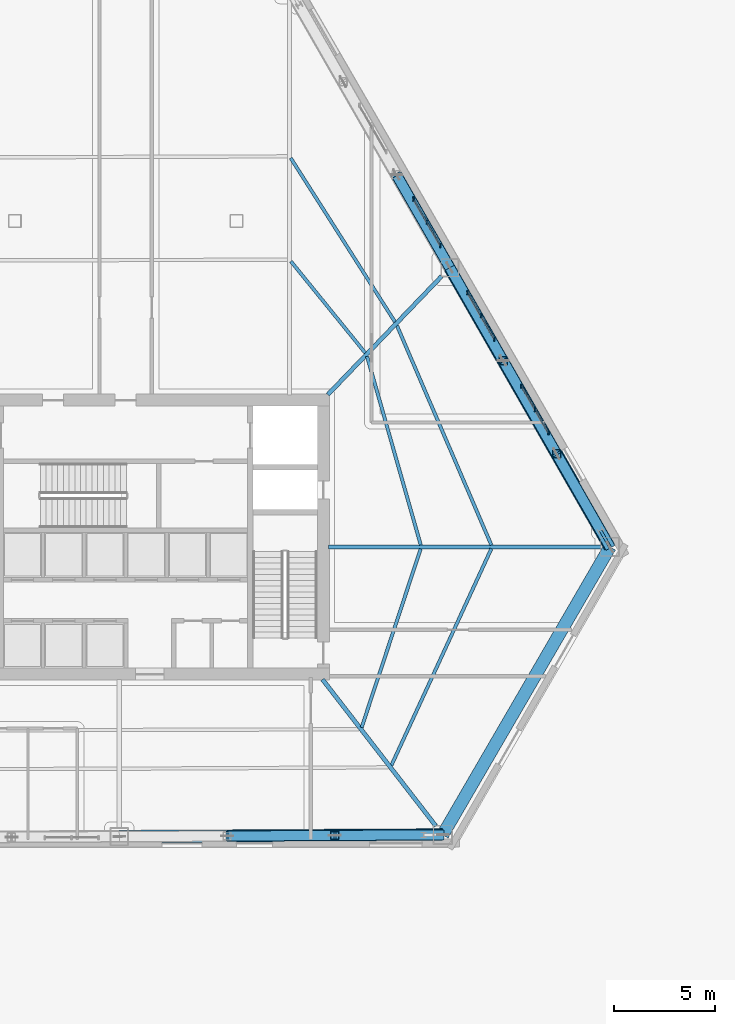
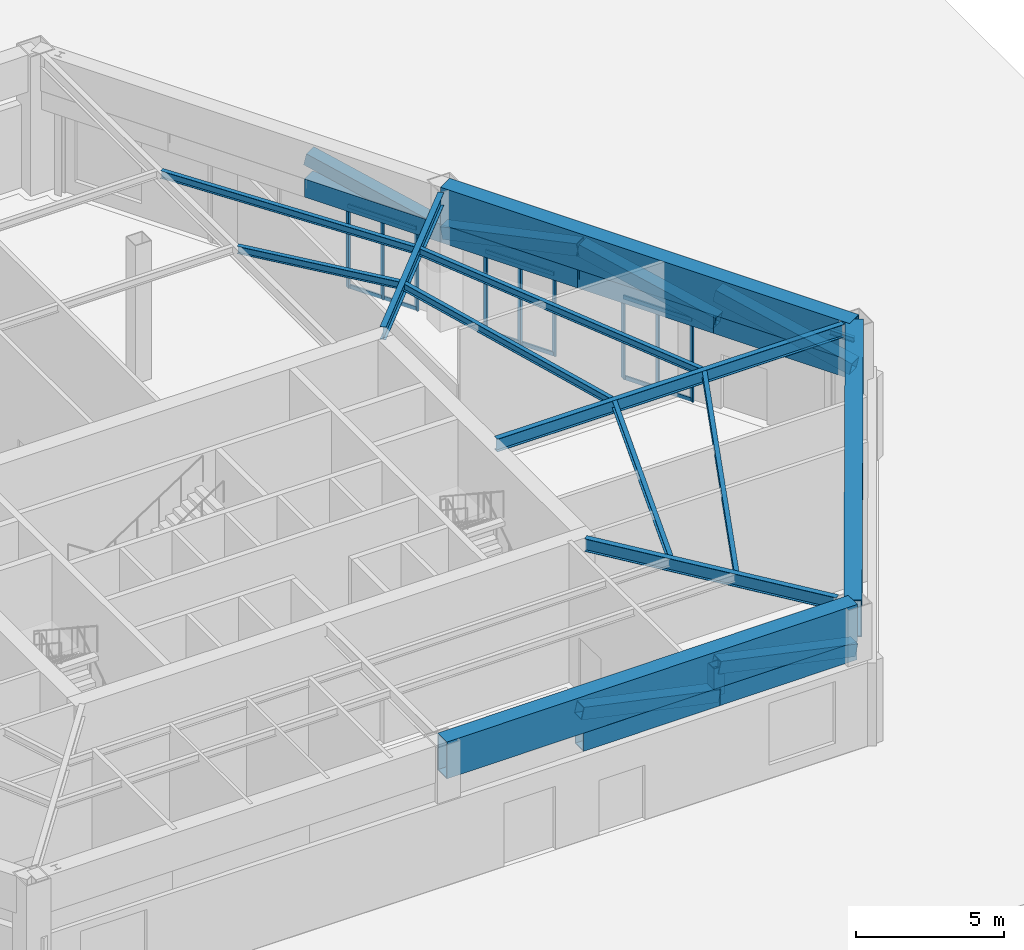
# One storey, part 7 of 20: 24 members, 19 beams, 3 elements without a shape of their own.
"""IFC4 building model written with IfcOpenShell, lengths in metres."""

from ifc_helpers import new_model, si_unit, direction, frame, origin, origin_2d, place, context, subcontext, project, spatial, rectangle, hollow_rectangle, i_section, extrude, material, layer, layer_set, material_profile, profile_set, type_object, element, aggregate, save


model = new_model("IFC4")

# Units and contexts
model_context = context("Model", 3, precision=1e-05, world=origin(), true_north=direction((0.0, 1.0)))
body_context = subcontext(model_context, "Body", "Model", "MODEL_VIEW")
ifc_project = project(units=[si_unit("LENGTHUNIT", "METRE"), si_unit("AREAUNIT", "SQUARE_METRE"), si_unit("VOLUMEUNIT", "CUBIC_METRE"), si_unit("PLANEANGLEUNIT", "RADIAN"), si_unit("MASSUNIT", "GRAM", prefix="KILO")], contexts=[model_context])

# Site, building, storey
site_placement = place(None, origin())
site = spatial("IfcSite", under=ifc_project, at=site_placement, CompositionType="ELEMENT")
building_placement = place(site_placement, origin())
building = spatial("IfcBuilding", under=site, at=building_placement, Name="Kavelnor Concourse Tower", CompositionType="ELEMENT")
storey_placement = place(building_placement, origin())
storey = spatial("IfcBuildingStorey", under=building, at=storey_placement, Name="L00", CompositionType="ELEMENT", Elevation=0.0)

# Beams
ifc_material_1 = material(Name="Steel Grade 350", Category="steel")
ifc_material_profile_1 = material_profile(ifc_material_1, i_section(OverallWidth=0.166015625, OverallDepth=0.306884765625, WebThickness=0.006591796875, FlangeThickness=0.01171875, at=origin_2d()), Name="310UB46")
ifc_profile_set_1 = profile_set([ifc_material_profile_1], Name="Steel Grade 350")
beam_type_1 = type_object("IfcBeamType", Name="BM-JOIST-310", PredefinedType="JOIST", material=ifc_profile_set_1)
beam_1_placement = place(storey_placement, frame((49.721435546875, 6.652587890625, 5.58642578125), z_axis=(0.313756274904, 0.949503554474, 0.0), x_axis=(-0.949503554474, 0.313756274904, 0.0)))
element("IfcBeam", 1, at=beam_1_placement, inside=storey, type_object=beam_type_1, Name="L00 Composite Floor Joist 04-1", PredefinedType="JOIST", context=body_context, shape_type="SweptSolid", body=[
    extrude(i_section(OverallWidth=0.166015625, OverallDepth=0.306884765625, WebThickness=0.006591796875, FlangeThickness=0.01171875, at=origin_2d()), origin(), (0.0, 0.0, 1.0), 9.339111328125),
])
beam_2_placement = place(storey_placement, frame((51.194091796875, 4.75830078125, 5.58642578125), z_axis=(0.418880576802, 0.908041332968, 0.0), x_axis=(-0.908041332968, 0.418880576802, 0.0)))
element("IfcBeam", 2, at=beam_2_placement, inside=storey, type_object=beam_type_1, Name="L00 Composite Floor Joist 04-2", PredefinedType="JOIST", context=body_context, shape_type="SweptSolid", body=[
    extrude(i_section(OverallWidth=0.166015625, OverallDepth=0.306884765625, WebThickness=0.006591796875, FlangeThickness=0.01171875, at=origin_2d()), origin(), (0.0, 0.0, 1.0), 11.856201171875),
])
beam_3_placement = place(storey_placement, frame((52.655517578125, 15.70751953125, 5.58642578125), z_axis=(-0.273853851398, 0.961771317972, 0.0), x_axis=(-0.961771317972, -0.273853851398, 0.0)))
element("IfcBeam", 3, at=beam_3_placement, inside=storey, type_object=beam_type_1, Name="L00 Composite Floor Joist 05-1", PredefinedType="JOIST", context=body_context, shape_type="SweptSolid", body=[
    extrude(i_section(OverallWidth=0.166015625, OverallDepth=0.306884765625, WebThickness=0.006591796875, FlangeThickness=0.01171875, at=origin_2d()), origin(), (0.0, 0.0, 1.0), 9.7421875),
])
beam_4_placement = place(storey_placement, frame((56.162841796875, 15.703125, 5.58642578125), z_axis=(-0.39521166435, 0.918590082878, 0.0), x_axis=(-0.918590082878, -0.39521166435, 0.0)))
element("IfcBeam", 4, at=beam_4_placement, inside=storey, type_object=beam_type_1, Name="L00 Composite Floor Joist 05-2", PredefinedType="JOIST", context=body_context, shape_type="SweptSolid", body=[
    extrude(i_section(OverallWidth=0.166015625, OverallDepth=0.306884765625, WebThickness=0.006591796875, FlangeThickness=0.01171875, at=origin_2d()), origin(), (0.0, 0.0, 1.0), 11.875),
])
beam_5_placement = place(storey_placement, frame((49.89892578125, 25.247802734375, 5.58642578125), z_axis=(-0.630228598423, 0.776409630112, 0.0), x_axis=(-0.776409630112, -0.630228598423, 0.0)))
element("IfcBeam", 5, at=beam_5_placement, inside=storey, type_object=beam_type_1, Name="L00 Composite Floor Joist 06-1", PredefinedType="JOIST", context=body_context, shape_type="SweptSolid", body=[
    extrude(i_section(OverallWidth=0.166015625, OverallDepth=0.306884765625, WebThickness=0.006591796875, FlangeThickness=0.01171875, at=origin_2d()), origin(), (0.0, 0.0, 1.0), 5.85888671875),
])
beam_6_placement = place(storey_placement, frame((51.37841796875, 26.783935546875, 5.58642578125), z_axis=(-0.53695899009, 0.843608346901, 0.0), x_axis=(-0.843608346901, -0.53695899009, 0.0)))
element("IfcBeam", 6, at=beam_6_placement, inside=storey, type_object=beam_type_1, Name="L00 Composite Floor Joist 06-2", PredefinedType="JOIST", context=body_context, shape_type="SweptSolid", body=[
    extrude(i_section(OverallWidth=0.166015625, OverallDepth=0.306884765625, WebThickness=0.006591796875, FlangeThickness=0.01171875, at=origin_2d()), origin(), (0.0, 0.0, 1.0), 9.648681640625),
])
ifc_material_profile_2 = material_profile(ifc_material_1, i_section(OverallWidth=0.134033203125, OverallDepth=0.20703125, WebThickness=0.00634765625, FlangeThickness=0.009521484375, at=origin_2d()), Name="200UB29")
ifc_profile_set_2 = profile_set([ifc_material_profile_2], Name="Steel Grade 350")
beam_type_2 = type_object("IfcBeamType", Name="BM-LINTEL-200", PredefinedType="LINTEL", material=ifc_profile_set_2)
beam_7_placement = place(storey_placement, frame((62.05078125, 15.61328125, 4.89990234375), z_axis=(-0.49757753053, 0.867419506993, 0.0), x_axis=(-0.867419506993, -0.49757753053, 0.0)))
element("IfcBeam", 7, at=beam_7_placement, inside=storey, type_object=beam_type_2, Name="L00 Pier Stiffener Header Lintel F2-A", PredefinedType="LINTEL", context=body_context, shape_type="SweptSolid", body=[
    extrude(i_section(OverallWidth=0.134033203125, OverallDepth=0.20703125, WebThickness=0.00634765625, FlangeThickness=0.009521484375, at=origin_2d()), origin(), (0.0, 0.0, 1.0), 0.949951171875),
])
ifc_material_profile_3 = material_profile(ifc_material_1, i_section(OverallWidth=0.208984375, OverallDepth=0.528076171875, WebThickness=0.009521484375, FlangeThickness=0.01318359375, at=origin_2d()), Name="530UB82")
ifc_profile_set_3 = profile_set([ifc_material_profile_3], Name="Steel Grade 350")
beam_type_3 = type_object("IfcBeamType", Name="BM-PRIMARY-530", PredefinedType="BEAM", material=ifc_profile_set_3)
beam_8_placement = place(storey_placement, frame((47.778564453125, 9.031494140625, 5.47607421875), z_axis=(0.611849576127, -0.790974143821, 0.0), x_axis=(0.790974143821, 0.611849576127, 0.0)))
element("IfcBeam", 8, at=beam_8_placement, inside=storey, type_object=beam_type_3, Name="L00 Primary Floor Girder MC-V4", PredefinedType="BEAM", context=body_context, shape_type="SweptSolid", body=[
    extrude(i_section(OverallWidth=0.208984375, OverallDepth=0.528076171875, WebThickness=0.009521484375, FlangeThickness=0.01318359375, at=origin_2d()), origin(), (0.0, 0.0, 1.0), 9.19189453125),
])
beam_9_placement = place(storey_placement, frame((48.080078125, 15.61328125, 5.47607421875), z_axis=(1.0, 0.0, 0.0), x_axis=(0.0, 1.0, 0.0)))
element("IfcBeam", 9, at=beam_9_placement, inside=storey, type_object=beam_type_3, Name="L00 Primary Floor Girder MC-V5", PredefinedType="BEAM", context=body_context, shape_type="SweptSolid", body=[
    extrude(i_section(OverallWidth=0.208984375, OverallDepth=0.528076171875, WebThickness=0.009521484375, FlangeThickness=0.01318359375, at=origin_2d()), origin(), (0.0, 0.0, 1.0), 13.535888671875),
])
beam_10_placement = place(storey_placement, frame((48.037841796875, 23.171142578125, 5.47607421875), z_axis=(0.692982555638, 0.72095435194, 0.0), x_axis=(-0.72095435194, 0.692982555638, 0.0)))
element("IfcBeam", 10, at=beam_10_placement, inside=storey, type_object=beam_type_3, Name="L00 Primary Floor Girder MC-F2", PredefinedType="BEAM", context=body_context, shape_type="SweptSolid", body=[
    extrude(i_section(OverallWidth=0.208984375, OverallDepth=0.528076171875, WebThickness=0.009521484375, FlangeThickness=0.01318359375, at=origin_2d()), origin(), (0.0, 0.0, 1.0), 8.160888671875),
])
ifc_material_profile_4 = material_profile(ifc_material_1, hollow_rectangle(XDim=0.550048828125, YDim=0.75, WallThickness=0.034912109375, at=origin_2d()), Name="RHS 750x550x35")
ifc_profile_set_4 = profile_set([ifc_material_profile_4], Name="Steel Grade 350")
beam_type_4 = type_object("IfcBeamType", Name="BM-XFER-CHORD-750", PredefinedType="BEAM", material=ifc_profile_set_4)
for number, where, z_axis, x_axis, name in (
    (11, (43.03857421875, 1.25927734375, 3.81494140625), (0.999985274967, 0.005426771603, 0.0), (-0.005426771603, 0.999985274967, 0.0), "L00 Concourse Transfer Truss Bottom Chord F1-B4"),
    (12, (48.39208984375, 1.288330078125, 3.81494140625), (0.999985026453, 0.005472373366, 0.0), (-0.005472373366, 0.999985026453, 0.0), "L00 Concourse Transfer Truss Bottom Chord F1-B5"),
):
    element("IfcBeam", number, at=place(storey_placement, frame(where, z_axis=z_axis, x_axis=x_axis)), inside=storey, type_object=beam_type_4, Name=name, PredefinedType="BEAM", context=body_context, shape_type="SweptSolid", body=[
        extrude(hollow_rectangle(XDim=0.550048828125, YDim=0.75, WallThickness=0.034912109375, at=origin_2d()), origin(), (0.0, 0.0, 1.0), 5.353515625),
    ])
beam_11_placement = place(storey_placement, frame((62.05078125, 15.61328125, 3.81494140625), z_axis=(-0.497608978098, 0.867401466979, 0.0), x_axis=(-0.867401466979, -0.497608978098, 0.0)))
element("IfcBeam", 13, at=beam_11_placement, inside=storey, type_object=beam_type_4, Name="L00 Concourse Transfer Truss Bottom Chord F2-B0", PredefinedType="BEAM", context=body_context, shape_type="SweptSolid", body=[
    extrude(hollow_rectangle(XDim=0.550048828125, YDim=0.75, WallThickness=0.034912109375, at=origin_2d()), origin(), (0.0, 0.0, 1.0), 5.3271484375),
])
beam_12_placement = place(storey_placement, frame((59.39990234375, 20.234130859375, 3.81494140625), z_axis=(-0.497643457825, 0.867381685813, 0.0), x_axis=(-0.867381685813, -0.497643457825, 0.0)))
element("IfcBeam", 14, at=beam_12_placement, inside=storey, type_object=beam_type_4, Name="L00 Concourse Transfer Truss Bottom Chord F2-B1", PredefinedType="BEAM", context=body_context, shape_type="SweptSolid", body=[
    extrude(hollow_rectangle(XDim=0.550048828125, YDim=0.75, WallThickness=0.034912109375, at=origin_2d()), origin(), (0.0, 0.0, 1.0), 5.327392578125),
])
beam_13_placement = place(storey_placement, frame((56.748779296875, 24.85498046875, 3.81494140625), z_axis=(-0.497608978098, 0.867401466979, 0.0), x_axis=(-0.867401466979, -0.497608978098, 0.0)))
element("IfcBeam", 15, at=beam_13_placement, inside=storey, type_object=beam_type_4, Name="L00 Concourse Transfer Truss Bottom Chord F2-B2", PredefinedType="BEAM", context=body_context, shape_type="SweptSolid", body=[
    extrude(hollow_rectangle(XDim=0.550048828125, YDim=0.75, WallThickness=0.034912109375, at=origin_2d()), origin(), (0.0, 0.0, 1.0), 5.3271484375),
])
beam_14_placement = place(storey_placement, frame((54.097900390625, 29.475830078125, 3.81494140625), z_axis=(-0.497643457825, 0.867381685813, 0.0), x_axis=(-0.867381685813, -0.497643457825, 0.0)))
element("IfcBeam", 16, at=beam_14_placement, inside=storey, type_object=beam_type_4, Name="L00 Concourse Transfer Truss Bottom Chord F2-B3", PredefinedType="BEAM", context=body_context, shape_type="SweptSolid", body=[
    extrude(hollow_rectangle(XDim=0.550048828125, YDim=0.75, WallThickness=0.034912109375, at=origin_2d()), origin(), (0.0, 0.0, 1.0), 5.327392578125),
])
ifc_material_profile_5 = material_profile(ifc_material_1, hollow_rectangle(XDim=0.6201171875, YDim=1.52001953125, WallThickness=0.0400390625, at=origin_2d()), Name="RHS 1520x620x40")
ifc_profile_set_5 = profile_set([ifc_material_profile_5], Name="Steel Grade 350")
beam_type_5 = type_object("IfcBeamType", Name="BM-XFER-CHORD-850", PredefinedType="BEAM", material=ifc_profile_set_5)
beam_15_placement = place(storey_placement, frame((37.68505859375, 1.22998046875, 4.97998046875), z_axis=(0.999985109522, 0.005457172782, 0.0), x_axis=(-0.005457172782, 0.999985109522, 0.0)))
element("IfcBeam", 17, at=beam_15_placement, inside=storey, type_object=beam_type_5, Name="L00 Concourse Transfer Truss Top Chord Girder F1-S2", PredefinedType="BEAM", context=body_context, shape_type="SweptSolid", body=[
    extrude(hollow_rectangle(XDim=0.6201171875, YDim=1.52001953125, WallThickness=0.0400390625, at=origin_2d()), origin(), (0.0, 0.0, 1.0), 16.060791015625),
])
beam_16_placement = place(storey_placement, frame((62.05078125, 15.61328125, 4.97998046875), z_axis=(-0.497620471602, 0.867394873309, 0.0), x_axis=(-0.867394873309, -0.497620471602, 0.0)))
element("IfcBeam", 18, at=beam_16_placement, inside=storey, type_object=beam_type_5, Name="L00 Concourse Transfer Truss Top Chord Girder F2-S1", PredefinedType="BEAM", context=body_context, shape_type="SweptSolid", body=[
    extrude(hollow_rectangle(XDim=0.6201171875, YDim=1.52001953125, WallThickness=0.0400390625, at=origin_2d()), origin(), (0.0, 0.0, 1.0), 15.98193359375),
])
beam_17_placement = place(storey_placement, frame((53.74560546875, 1.317626953125, 4.97998046875), z_axis=(0.502337849363, 0.864671431873, 0.0), x_axis=(-0.864671431873, 0.502337849363, 0.0)))
element("IfcBeam", 19, at=beam_17_placement, inside=storey, type_object=beam_type_5, Name="L00 Concourse Transfer Truss Corner Tie C2", PredefinedType="BEAM", context=body_context, shape_type="SweptSolid", body=[
    extrude(hollow_rectangle(XDim=0.6201171875, YDim=1.52001953125, WallThickness=0.0400390625, at=origin_2d()), origin(), (0.0, 0.0, 1.0), 16.532958984375),
])

# Curtain wall, members
ifc_material_2 = material(Name="Anodised aluminium 6063-T6", Category="aluminium")
ifc_layer = layer(ifc_material_2, 0.199951171875, Name="Anodised aluminium 6063-T6")
ifc_layer_set = layer_set([ifc_layer], Name="Anodised aluminium 6063-T6")
curtain_wall_type = type_object("IfcCurtainWallType", Name="CW-CONCOURSE", PredefinedType="NOTDEFINED", material=ifc_layer_set)
curtain_wall_1_placement = place(storey_placement, origin())
curtain_wall_1 = element("IfcCurtainWall", 20, at=curtain_wall_1_placement, inside=storey, type_object=curtain_wall_type, Name="L00 Street Concourse Shopfront Curtain Wall 7", PredefinedType="NOTDEFINED")
ifc_material_profile_6 = material_profile(ifc_material_2, rectangle(XDim=0.06494140625, YDim=0.199951171875, at=origin_2d()), Name="AL-MULL 65x200")
ifc_profile_set_6 = profile_set([ifc_material_profile_6], Name="Anodised aluminium 6063-T6")
member_type_1 = type_object("IfcMemberType", Name="CW-CONCOURSE-MULL", PredefinedType="MULLION", material=ifc_profile_set_6)
member_1_placement = place(storey_placement, frame((58.9912109375, 21.281982421875, 0.0), z_axis=(0.0, 0.0, 1.0), x_axis=(1.0, 0.0, 0.0)))
member_1 = element("IfcMember", 21, at=member_1_placement, type_object=member_type_1, Name="L00 Street Concourse Shopfront Curtain Wall 7 Mullion 0", PredefinedType="MULLION", context=body_context, shape_type="SweptSolid", body=[
    extrude(rectangle(XDim=0.06494140625, YDim=0.199951171875, at=origin_2d()), origin(), (0.0, 0.0, 1.0), 3.419921875),
])
member_2_placement = place(storey_placement, frame((58.32421875, 22.437255859375, 0.0), z_axis=(0.0, 0.0, 1.0), x_axis=(1.0, 0.0, 0.0)))
member_2 = element("IfcMember", 22, at=member_2_placement, type_object=member_type_1, Name="L00 Street Concourse Shopfront Curtain Wall 7 Mullion 1", PredefinedType="MULLION", context=body_context, shape_type="SweptSolid", body=[
    extrude(rectangle(XDim=0.06494140625, YDim=0.199951171875, at=origin_2d()), origin(), (0.0, 0.0, 1.0), 3.419921875),
])
member_3_placement = place(storey_placement, frame((57.657470703125, 23.59228515625, 0.0), z_axis=(0.0, 0.0, 1.0), x_axis=(1.0, 0.0, 0.0)))
member_3 = element("IfcMember", 23, at=member_3_placement, type_object=member_type_1, Name="L00 Street Concourse Shopfront Curtain Wall 7 Mullion 2", PredefinedType="MULLION", context=body_context, shape_type="SweptSolid", body=[
    extrude(rectangle(XDim=0.06494140625, YDim=0.199951171875, at=origin_2d()), origin(), (0.0, 0.0, 1.0), 3.419921875),
])

curtain_wall_2_placement = place(storey_placement, origin())
curtain_wall_2 = element("IfcCurtainWall", 24, at=curtain_wall_2_placement, inside=storey, type_object=curtain_wall_type, Name="L00 Street Concourse Shopfront Curtain Wall 8", PredefinedType="NOTDEFINED")
member_4_placement = place(storey_placement, frame((56.307373046875, 25.9306640625, 0.0), z_axis=(0.0, 0.0, 1.0), x_axis=(1.0, 0.0, 0.0)))
member_4 = element("IfcMember", 25, at=member_4_placement, type_object=member_type_1, Name="L00 Street Concourse Shopfront Curtain Wall 8 Mullion 0", PredefinedType="MULLION", context=body_context, shape_type="SweptSolid", body=[
    extrude(rectangle(XDim=0.06494140625, YDim=0.199951171875, at=origin_2d()), origin(), (0.0, 0.0, 1.0), 3.419921875),
])
member_5_placement = place(storey_placement, frame((55.640380859375, 27.085693359375, 0.0), z_axis=(0.0, 0.0, 1.0), x_axis=(1.0, 0.0, 0.0)))
member_5 = element("IfcMember", 26, at=member_5_placement, type_object=member_type_1, Name="L00 Street Concourse Shopfront Curtain Wall 8 Mullion 1", PredefinedType="MULLION", context=body_context, shape_type="SweptSolid", body=[
    extrude(rectangle(XDim=0.06494140625, YDim=0.199951171875, at=origin_2d()), origin(), (0.0, 0.0, 1.0), 3.419921875),
])
member_6_placement = place(storey_placement, frame((54.9736328125, 28.240966796875, 0.0), z_axis=(0.0, 0.0, 1.0), x_axis=(1.0, 0.0, 0.0)))
member_6 = element("IfcMember", 27, at=member_6_placement, type_object=member_type_1, Name="L00 Street Concourse Shopfront Curtain Wall 8 Mullion 2", PredefinedType="MULLION", context=body_context, shape_type="SweptSolid", body=[
    extrude(rectangle(XDim=0.06494140625, YDim=0.199951171875, at=origin_2d()), origin(), (0.0, 0.0, 1.0), 3.419921875),
])

curtain_wall_3_placement = place(storey_placement, origin())
curtain_wall_3 = element("IfcCurtainWall", 28, at=curtain_wall_3_placement, inside=storey, type_object=curtain_wall_type, Name="L00 Street Concourse Shopfront Curtain Wall 9", PredefinedType="NOTDEFINED")
member_7_placement = place(storey_placement, frame((53.62353515625, 30.5791015625, 0.0), z_axis=(0.0, 0.0, 1.0), x_axis=(1.0, 0.0, 0.0)))
member_7 = element("IfcMember", 29, at=member_7_placement, type_object=member_type_1, Name="L00 Street Concourse Shopfront Curtain Wall 9 Mullion 0", PredefinedType="MULLION", context=body_context, shape_type="SweptSolid", body=[
    extrude(rectangle(XDim=0.06494140625, YDim=0.199951171875, at=origin_2d()), origin(), (0.0, 0.0, 1.0), 3.419921875),
])
member_8_placement = place(storey_placement, frame((52.956787109375, 31.734375, 0.0), z_axis=(0.0, 0.0, 1.0), x_axis=(1.0, 0.0, 0.0)))
member_8 = element("IfcMember", 30, at=member_8_placement, type_object=member_type_1, Name="L00 Street Concourse Shopfront Curtain Wall 9 Mullion 1", PredefinedType="MULLION", context=body_context, shape_type="SweptSolid", body=[
    extrude(rectangle(XDim=0.06494140625, YDim=0.199951171875, at=origin_2d()), origin(), (0.0, 0.0, 1.0), 3.419921875),
])
member_9_placement = place(storey_placement, frame((52.289794921875, 32.889404296875, 0.0), z_axis=(0.0, 0.0, 1.0), x_axis=(1.0, 0.0, 0.0)))
member_9 = element("IfcMember", 31, at=member_9_placement, type_object=member_type_1, Name="L00 Street Concourse Shopfront Curtain Wall 9 Mullion 2", PredefinedType="MULLION", context=body_context, shape_type="SweptSolid", body=[
    extrude(rectangle(XDim=0.06494140625, YDim=0.199951171875, at=origin_2d()), origin(), (0.0, 0.0, 1.0), 3.419921875),
])

# Member
ifc_material_profile_7 = material_profile(ifc_material_2, rectangle(XDim=0.06494140625, YDim=0.159912109375, at=origin_2d()), Name="AL-TRAN 65x160")
ifc_profile_set_7 = profile_set([ifc_material_profile_7], Name="Anodised aluminium 6063-T6")
member_type_2 = type_object("IfcMemberType", Name="CW-CONCOURSE-TRAN", PredefinedType="USERDEFINED", material=ifc_profile_set_7)
member_10_placement = place(storey_placement, frame((58.9912109375, 21.281982421875, 0.06005859375), z_axis=(-0.499968041424, 0.866043854291, 0.0), x_axis=(-0.866043854291, -0.499968041424, 0.0)))
member_10 = element("IfcMember", 32, at=member_10_placement, type_object=member_type_2, Name="L00 Street Concourse Shopfront Curtain Wall 7 Transom 0-BOT", ObjectType="TRANSOM", PredefinedType="USERDEFINED", context=body_context, shape_type="SweptSolid", body=[
    extrude(rectangle(XDim=0.06494140625, YDim=0.159912109375, at=origin_2d()), origin(), (0.0, 0.0, 1.0), 2.667724609375),
])

member_11_placement = place(storey_placement, frame((58.9912109375, 21.281982421875, 3.360107421875), z_axis=(-0.499968041424, 0.866043854291, 0.0), x_axis=(-0.866043854291, -0.499968041424, 0.0)))
member_11 = element("IfcMember", 33, at=member_11_placement, type_object=member_type_2, Name="L00 Street Concourse Shopfront Curtain Wall 7 Transom 0-TOP", ObjectType="TRANSOM", PredefinedType="USERDEFINED", context=body_context, shape_type="SweptSolid", body=[
    extrude(rectangle(XDim=0.06494140625, YDim=0.159912109375, at=origin_2d()), origin(), (0.0, 0.0, 1.0), 2.667724609375),
])

aggregate(curtain_wall_1, [member_1, member_2, member_3, member_10, member_11])

member_12_placement = place(storey_placement, frame((56.307373046875, 25.9306640625, 0.06005859375), z_axis=(-0.499968041424, 0.866043854291, 0.0), x_axis=(-0.866043854291, -0.499968041424, 0.0)))
member_12 = element("IfcMember", 34, at=member_12_placement, type_object=member_type_2, Name="L00 Street Concourse Shopfront Curtain Wall 8 Transom 0-BOT", ObjectType="TRANSOM", PredefinedType="USERDEFINED", context=body_context, shape_type="SweptSolid", body=[
    extrude(rectangle(XDim=0.06494140625, YDim=0.159912109375, at=origin_2d()), origin(), (0.0, 0.0, 1.0), 2.667724609375),
])

member_13_placement = place(storey_placement, frame((56.307373046875, 25.9306640625, 3.360107421875), z_axis=(-0.499968041424, 0.866043854291, 0.0), x_axis=(-0.866043854291, -0.499968041424, 0.0)))
member_13 = element("IfcMember", 35, at=member_13_placement, type_object=member_type_2, Name="L00 Street Concourse Shopfront Curtain Wall 8 Transom 0-TOP", ObjectType="TRANSOM", PredefinedType="USERDEFINED", context=body_context, shape_type="SweptSolid", body=[
    extrude(rectangle(XDim=0.06494140625, YDim=0.159912109375, at=origin_2d()), origin(), (0.0, 0.0, 1.0), 2.667724609375),
])

aggregate(curtain_wall_2, [member_4, member_5, member_6, member_12, member_13])

member_14_placement = place(storey_placement, frame((53.62353515625, 30.5791015625, 0.06005859375), z_axis=(-0.499968041424, 0.866043854291, 0.0), x_axis=(-0.866043854291, -0.499968041424, 0.0)))
member_14 = element("IfcMember", 36, at=member_14_placement, type_object=member_type_2, Name="L00 Street Concourse Shopfront Curtain Wall 9 Transom 0-BOT", ObjectType="TRANSOM", PredefinedType="USERDEFINED", context=body_context, shape_type="SweptSolid", body=[
    extrude(rectangle(XDim=0.06494140625, YDim=0.159912109375, at=origin_2d()), origin(), (0.0, 0.0, 1.0), 2.667724609375),
])

member_15_placement = place(storey_placement, frame((53.62353515625, 30.5791015625, 3.360107421875), z_axis=(-0.499968041424, 0.866043854291, 0.0), x_axis=(-0.866043854291, -0.499968041424, 0.0)))
member_15 = element("IfcMember", 37, at=member_15_placement, type_object=member_type_2, Name="L00 Street Concourse Shopfront Curtain Wall 9 Transom 0-TOP", ObjectType="TRANSOM", PredefinedType="USERDEFINED", context=body_context, shape_type="SweptSolid", body=[
    extrude(rectangle(XDim=0.06494140625, YDim=0.159912109375, at=origin_2d()), origin(), (0.0, 0.0, 1.0), 2.667724609375),
])

aggregate(curtain_wall_3, [member_7, member_8, member_9, member_14, member_15])

# Members
ifc_material_profile_8 = material_profile(ifc_material_1, hollow_rectangle(XDim=0.5, YDim=0.5, WallThickness=0.031982421875, at=origin_2d()), Name="SHS 500x500x32")
ifc_profile_set_8 = profile_set([ifc_material_profile_8], Name="Steel Grade 350")
member_type_3 = type_object("IfcMemberType", Name="MBR-XFER-DIAG-500", PredefinedType="BRACE", material=ifc_profile_set_8)
for number, where, z_axis, x_axis, name in (
    (38, (48.39208984375, 1.288330078125, 3.81494140625), (-0.977115950557, -0.005302663176, 0.212641249364), (0.005426771603, -0.999985274967, 0.0), "L00 Concourse Transfer Truss Diagonal F1-B4"),
    (39, (53.74560546875, 1.317626953125, 3.81494140625), (-0.977115718706, -0.005347222102, 0.212641198908), (0.005472373366, -0.999985026453, 0.0), "L00 Concourse Transfer Truss Diagonal F1-B5"),
):
    element("IfcMember", number, at=place(storey_placement, frame(where, z_axis=z_axis, x_axis=x_axis)), inside=storey, type_object=member_type_3, Name=name, PredefinedType="BRACE", context=body_context, shape_type="SweptSolid", body=[
        extrude(hollow_rectangle(XDim=0.5, YDim=0.5, WallThickness=0.031982421875, at=origin_2d()), origin(), (0.0, 0.0, 1.0), 5.47900390625),
    ])
member_16_placement = place(storey_placement, frame((62.05078125, 15.61328125, 3.81494140625), z_axis=(-0.486119802724, 0.847374240759, 0.213645579167), x_axis=(-0.867401466979, -0.497608978098, 0.0)))
element("IfcMember", 40, at=member_16_placement, inside=storey, type_object=member_type_3, Name="L00 Concourse Transfer Truss Diagonal F2-B0", PredefinedType="BRACE", context=body_context, shape_type="SweptSolid", body=[
    extrude(hollow_rectangle(XDim=0.5, YDim=0.5, WallThickness=0.031982421875, at=origin_2d()), origin(), (0.0, 0.0, 1.0), 5.453125),
])
member_17_placement = place(storey_placement, frame((59.39990234375, 20.234130859375, 3.81494140625), z_axis=(-0.486153992401, 0.847355798341, 0.213640929343), x_axis=(-0.867381685813, -0.497643457825, 0.0)))
element("IfcMember", 41, at=member_17_placement, inside=storey, type_object=member_type_3, Name="L00 Concourse Transfer Truss Diagonal F2-B1", PredefinedType="BRACE", context=body_context, shape_type="SweptSolid", body=[
    extrude(hollow_rectangle(XDim=0.5, YDim=0.5, WallThickness=0.031982421875, at=origin_2d()), origin(), (0.0, 0.0, 1.0), 5.453369140625),
])
member_18_placement = place(storey_placement, frame((54.097900390625, 29.475830078125, 3.81494140625), z_axis=(0.486119802724, -0.847374240759, 0.213645579167), x_axis=(0.867401466979, 0.497608978098, 0.0)))
element("IfcMember", 42, at=member_18_placement, inside=storey, type_object=member_type_3, Name="L00 Concourse Transfer Truss Diagonal F2-B2", PredefinedType="BRACE", context=body_context, shape_type="SweptSolid", body=[
    extrude(hollow_rectangle(XDim=0.5, YDim=0.5, WallThickness=0.031982421875, at=origin_2d()), origin(), (0.0, 0.0, 1.0), 5.453125),
])
member_19_placement = place(storey_placement, frame((54.097900390625, 29.475830078125, 3.81494140625), z_axis=(-0.486153992401, 0.847355798341, 0.213640929343), x_axis=(-0.867381685813, -0.497643457825, 0.0)))
element("IfcMember", 43, at=member_19_placement, inside=storey, type_object=member_type_3, Name="L00 Concourse Transfer Truss Diagonal F2-B3", PredefinedType="BRACE", context=body_context, shape_type="SweptSolid", body=[
    extrude(hollow_rectangle(XDim=0.5, YDim=0.5, WallThickness=0.031982421875, at=origin_2d()), origin(), (0.0, 0.0, 1.0), 5.453369140625),
])
ifc_material_profile_9 = material_profile(ifc_material_1, hollow_rectangle(XDim=0.419921875, YDim=0.419921875, WallThickness=0.028076171875, at=origin_2d()), Name="SHS 420x420x28")
ifc_profile_set_9 = profile_set([ifc_material_profile_9], Name="Steel Grade 350")
member_type_4 = type_object("IfcMemberType", Name="MBR-XFER-POST-420", PredefinedType="CHORD", material=ifc_profile_set_9)
for number, where, z_axis, x_axis, name in (
    (44, (48.39208984375, 1.288330078125, 3.81494140625), (0.0, 0.0, 1.0), (1.0, 0.0, 0.0), "L00 Concourse Transfer Truss Web Post F1-B5"),
    (45, (59.39990234375, 20.234130859375, 3.81494140625), (0.0, 0.0, 1.0), (1.0, 0.0, 0.0), "L00 Concourse Transfer Truss Web Post F2-B1"),
    (46, (56.748779296875, 24.85498046875, 3.81494140625), (0.0, 0.0, 1.0), (1.0, 0.0, 0.0), "L00 Concourse Transfer Truss Web Post F2-B2"),
):
    element("IfcMember", number, at=place(storey_placement, frame(where, z_axis=z_axis, x_axis=x_axis)), inside=storey, type_object=member_type_4, Name=name, PredefinedType="CHORD", context=body_context, shape_type="SweptSolid", body=[
        extrude(hollow_rectangle(XDim=0.419921875, YDim=0.419921875, WallThickness=0.028076171875, at=origin_2d()), origin(), (0.0, 0.0, 1.0), 1.1650390625),
    ])

save(model, "model.ifc")
